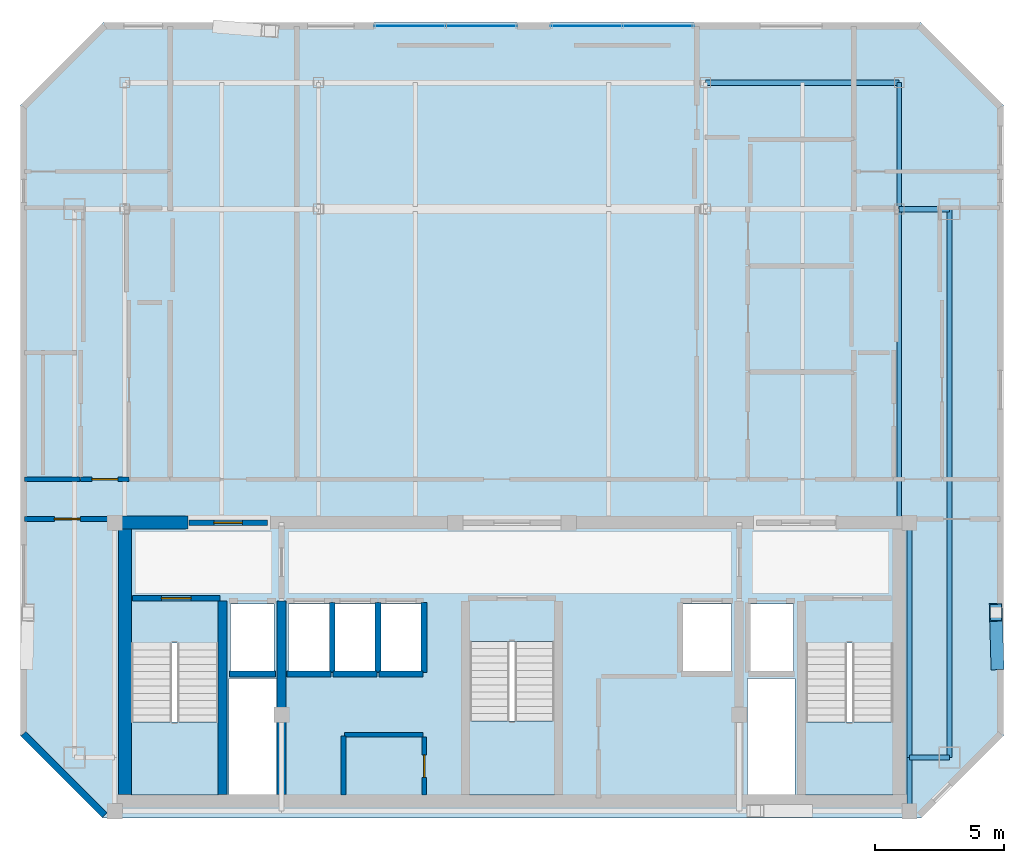
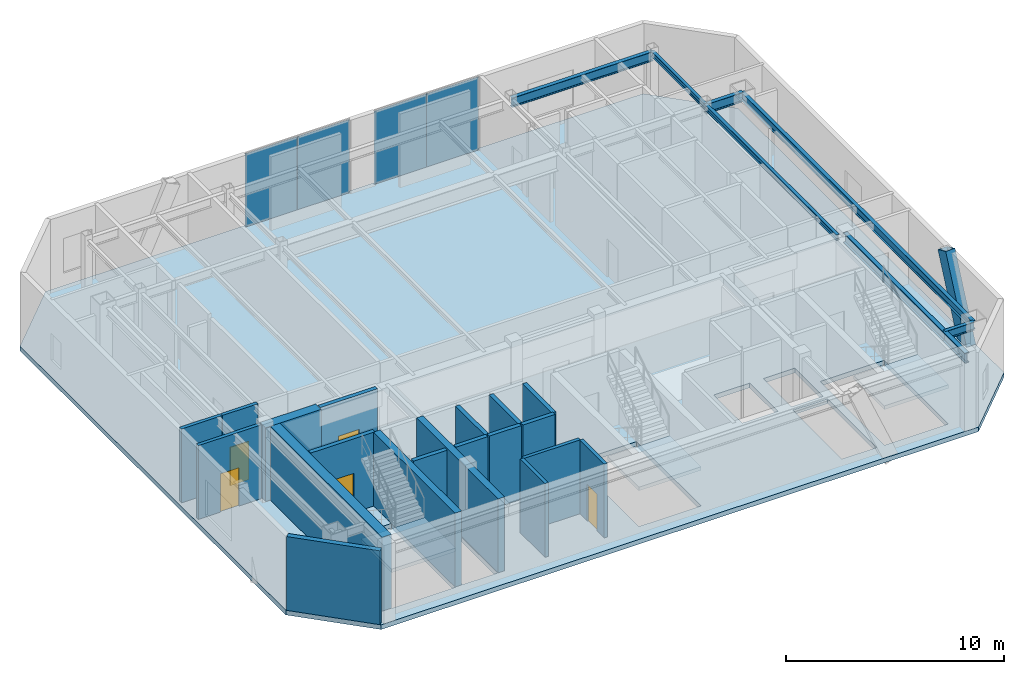
# One storey, part 5 of 10: 20 walls, 8 beams, 5 doors, 4 plates, 4 slabs, 1 member, 5 openings, 5 elements without a shape of their own.
"""IFC4 building model written with IfcOpenShell, lengths in metres."""

import ifcopenshell
import ifcopenshell.guid

model = None  # the IFC model being written
_history = None  # IfcOwnerHistory: only IFC2X3 demands one
_inside = {}  # id of a spatial element -> (the spatial element, [elements in it])
_under = {}  # id of a project, library or spatial element -> (it, [spatial elements below it])
_declared = {}  # id of a project -> (the project, [libraries it declares])
_typed = {}  # id of a type object -> (the type object, [elements of that type])
_made_of = {}  # id of a material, layer set ... -> (it, [elements and type objects made of it])


def new_model(schema):
    """Start an empty IFC model of exactly this schema.

    Asked for "IFC4X3", IfcOpenShell would pick the latest addendum, in which some entities
    have other attributes; the version numbers below select the first issue.
    IFC2X3 requires an IfcOwnerHistory on every rooted entity: one is made here for all.
    """
    global model, _history
    if schema == "IFC4X3":
        model = ifcopenshell.file(schema_version=(4, 3, 0, 0))
    else:
        model = ifcopenshell.file(schema=schema)
    _inside.clear()
    _under.clear()
    _declared.clear()
    _typed.clear()
    _made_of.clear()
    _history = None
    if model.schema == "IFC2X3":
        org = make("IfcOrganization", Name="unknown")
        user = make(
            "IfcPersonAndOrganization",
            ThePerson=make("IfcPerson", FamilyName="unknown"),
            TheOrganization=org,
        )
        app = make(
            "IfcApplication",
            ApplicationDeveloper=org,
            Version="unknown",
            ApplicationFullName="unknown",
            ApplicationIdentifier="unknown",
        )
        _history = make(
            "IfcOwnerHistory",
            OwningUser=user,
            OwningApplication=app,
            ChangeAction="ADDED",
            CreationDate=0,
        )
    return model


def make(cls, **values):
    """One entity of the class cls with the attributes given. An attribute that is None is left unset."""
    return model.create_entity(
        cls, **{name: value for name, value in values.items() if value is not None}
    )


def rooted(cls, **values):
    """An entity with a GlobalId (a new one), such as an element, a storey or a relation."""
    return make(cls, GlobalId=ifcopenshell.guid.new(), OwnerHistory=_history, **values)


def si_unit(unit_type, name, prefix=None):
    """IfcSIUnit, for example si_unit("LENGTHUNIT", "METRE", prefix="MILLI")."""
    return make("IfcSIUnit", UnitType=unit_type, Prefix=prefix, Name=name)


def assignment(units):
    """IfcUnitAssignment: the units of a project."""
    return None if units is None else make("IfcUnitAssignment", Units=units)


def point(xyz):
    """IfcCartesianPoint."""
    return None if xyz is None else make("IfcCartesianPoint", Coordinates=xyz)


def direction(xyz):
    """IfcDirection."""
    return None if xyz is None else make("IfcDirection", DirectionRatios=xyz)


def frame(location, z_axis=None, x_axis=None):
    """IfcAxis2Placement3D, a coordinate frame: its origin and axes. An axis left out is left unset."""
    return make(
        "IfcAxis2Placement3D",
        Location=point(location),
        Axis=direction(z_axis),
        RefDirection=direction(x_axis),
    )


def frame_2d(location, x_axis=None):
    """IfcAxis2Placement2D, a coordinate frame in the plane: its origin and x axis."""
    return make(
        "IfcAxis2Placement2D", Location=point(location), RefDirection=direction(x_axis)
    )


def origin():
    """The frame at (0, 0, 0) with its axes left unset."""
    return frame((0.0, 0.0, 0.0))


def origin_2d():
    """The frame at (0, 0) in the plane with its x axis left unset."""
    return frame_2d((0.0, 0.0))


def place(relative_to, where):
    """IfcLocalPlacement: puts the frame where relative to a parent placement (None: the world)."""
    return make(
        "IfcLocalPlacement", PlacementRelTo=relative_to, RelativePlacement=where
    )


def context(
    kind, dimensions, precision=None, world=None, true_north=None, identifier=None
):
    """IfcGeometricRepresentationContext, for example the 3D "Model" context."""
    return make(
        "IfcGeometricRepresentationContext",
        ContextIdentifier=identifier,
        ContextType=kind,
        CoordinateSpaceDimension=dimensions,
        Precision=precision,
        WorldCoordinateSystem=world,
        TrueNorth=true_north,
    )


def subcontext(parent, identifier, kind, view, scale=None):
    """IfcGeometricRepresentationSubContext, for example "Body" below "Model"."""
    return make(
        "IfcGeometricRepresentationSubContext",
        ContextIdentifier=identifier,
        ContextType=kind,
        ParentContext=parent,
        TargetScale=scale,
        TargetView=view,
    )


def project(units=None, contexts=None):
    """IfcProject with its units and contexts."""
    return rooted(
        "IfcProject",
        Name="project",
        RepresentationContexts=contexts,
        UnitsInContext=assignment(units),
    )


def spatial(cls, under=None, at=None, **own):
    """A site, building, storey or space (cls), placed at a placement, below another one or the project."""
    s = rooted(cls, ObjectPlacement=at, **own)
    if under is not None:
        _under.setdefault(under.id(), (under, []))[1].append(s)
    return s


def polyline(points):
    """IfcPolyline through the points."""
    return make("IfcPolyline", Points=[point(p) for p in points])


def profile(cls, at=None, kind="AREA", **sizes):
    """A parametric profile (cls). Its sizes go by their IFC names, for example OverallWidth=200.0."""
    return make(cls, ProfileType=kind, Position=at, **sizes)


def rectangle(**sizes):
    """IfcRectangleProfileDef."""
    return profile("IfcRectangleProfileDef", **sizes)


def hollow_rectangle(**sizes):
    """IfcRectangleHollowProfileDef."""
    return profile("IfcRectangleHollowProfileDef", **sizes)


def i_section(**sizes):
    """IfcIShapeProfileDef."""
    return profile("IfcIShapeProfileDef", **sizes)


def outline(outer, holes=None, kind="AREA"):
    """IfcArbitraryClosedProfileDef: a profile drawn as a closed curve; with holes, ...WithVoids."""
    if holes is None:
        return make("IfcArbitraryClosedProfileDef", ProfileType=kind, OuterCurve=outer)
    return make(
        "IfcArbitraryProfileDefWithVoids",
        ProfileType=kind,
        OuterCurve=outer,
        InnerCurves=holes,
    )


def extrude(swept, where, along, depth):
    """IfcExtrudedAreaSolid: the profile swept, set in the frame where, extruded along a direction by depth."""
    return make(
        "IfcExtrudedAreaSolid",
        SweptArea=swept,
        Position=where,
        ExtrudedDirection=direction(along),
        Depth=depth,
    )


def shape(context_of_items, identifier, shape_type, items):
    """IfcShapeRepresentation: the items that make up one representation, for example the "Body"."""
    return make(
        "IfcShapeRepresentation",
        ContextOfItems=context_of_items,
        RepresentationIdentifier=identifier,
        RepresentationType=shape_type,
        Items=items,
    )


def material(Name=None, Category=None):
    """IfcMaterial."""
    return make("IfcMaterial", Name=Name, Category=Category)


def layer(
    of_material, thickness, ventilated=None, Name=None, Category=None, Priority=None
):
    """IfcMaterialLayer: one layer of a wall or slab, of a material (None: an air gap)."""
    return make(
        "IfcMaterialLayer",
        Material=of_material,
        LayerThickness=thickness,
        IsVentilated=ventilated,
        Name=Name,
        Category=Category,
        Priority=Priority,
    )


def layer_set(layers, Name=None):
    """IfcMaterialLayerSet."""
    return make("IfcMaterialLayerSet", MaterialLayers=layers, LayerSetName=Name)


def material_profile(
    of_material, cross_section, Name=None, Category=None, Priority=None
):
    """IfcMaterialProfile: a cross section and its material."""
    return make(
        "IfcMaterialProfile",
        Name=Name,
        Material=of_material,
        Profile=cross_section,
        Priority=Priority,
        Category=Category,
    )


def profile_set(profiles, Name=None, composite=None):
    """IfcMaterialProfileSet."""
    return make(
        "IfcMaterialProfileSet",
        Name=Name,
        MaterialProfiles=profiles,
        CompositeProfile=composite,
    )


def made_of(thing, what):
    """Note that an element or type object is made of a material, layer set ...; save() writes the relation."""
    if what is not None:
        _made_of.setdefault(what.id(), (what, []))[1].append(thing)
    return thing


def type_object(cls, material=None, **own):
    """A type object (cls), such as IfcWallType, which elements share."""
    return made_of(rooted(cls, **own), material)


def element(
    cls,
    number,
    at=None,
    inside=None,
    cuts=None,
    type_object=None,
    material=None,
    context=None,
    identifier="Body",
    shape_type=None,
    held_by="IfcProductDefinitionShape",
    body=None,
    shapes=None,
    **own,
):
    """One element of the class cls, such as IfcWall. Its Tag is "e" and its number.

    at: its placement. inside: the storey or other place that contains it. cuts: it is an
    opening in that element (IfcRelVoidsElement). A single representation is given by context,
    identifier, shape_type and body (its items); several are given by shapes. held_by: the class
    of the entity that holds the representations. save() writes the other relations.
    """
    e = rooted(cls, Tag="e%d" % number, ObjectPlacement=at, **own)
    if body is not None:
        shapes = [shape(context, identifier, shape_type, body)]
    if shapes is not None:
        e.Representation = make(held_by, Representations=shapes)
    if inside is not None:
        _inside.setdefault(inside.id(), (inside, []))[1].append(e)
    if cuts is not None:
        rooted(
            "IfcRelVoidsElement", RelatingBuildingElement=cuts, RelatedOpeningElement=e
        )
    if type_object is not None:
        _typed.setdefault(type_object.id(), (type_object, []))[1].append(e)
    return made_of(e, material)


def fill(opening, filler):
    """IfcRelFillsElement: the door or window that sits in an opening."""
    return rooted(
        "IfcRelFillsElement",
        RelatingOpeningElement=opening,
        RelatedBuildingElement=filler,
    )


def aggregate(whole, parts):
    """IfcRelAggregates: a whole, such as a stair, and the parts it consists of."""
    return rooted("IfcRelAggregates", RelatingObject=whole, RelatedObjects=parts)


def save(model, path):
    """Write the relations noted so far, then the file.

    IfcRelAggregates (storeys below a building ...), IfcRelContainedInSpatialStructure (elements
    in a storey), IfcRelDefinesByType, IfcRelAssociatesMaterial and IfcRelDeclares: one each for
    every whole, place, type object, material and project.
    """
    for whole, parts in _under.values():
        aggregate(whole, parts)
    for where, things in _inside.values():
        rooted(
            "IfcRelContainedInSpatialStructure",
            RelatedElements=things,
            RelatingStructure=where,
        )
    for kind, things in _typed.values():
        rooted("IfcRelDefinesByType", RelatedObjects=things, RelatingType=kind)
    for what, things in _made_of.values():
        rooted("IfcRelAssociatesMaterial", RelatedObjects=things, RelatingMaterial=what)
    for by, libraries in _declared.values():
        rooted("IfcRelDeclares", RelatingContext=by, RelatedDefinitions=libraries)
    model.write(path)


model = new_model("IFC4")

# Units and contexts
model_context = context("Model", 3, precision=1e-05, world=origin(), true_north=direction((0.0, 1.0)))
body_context = subcontext(model_context, "Body", "Model", "MODEL_VIEW")
ifc_project = project(units=[si_unit("LENGTHUNIT", "METRE"), si_unit("AREAUNIT", "SQUARE_METRE"), si_unit("VOLUMEUNIT", "CUBIC_METRE"), si_unit("PLANEANGLEUNIT", "RADIAN"), si_unit("MASSUNIT", "GRAM", prefix="KILO")], contexts=[model_context])

# Site, building, storey
site_placement = place(None, origin())
site = spatial("IfcSite", under=ifc_project, at=site_placement, CompositionType="ELEMENT")
building_placement = place(site_placement, origin())
building = spatial("IfcBuilding", under=site, at=building_placement, Name="Ventersveld Concourse Tower", CompositionType="ELEMENT")
storey_placement = place(building_placement, frame((0.0, 0.0, 357.85009765625)))
storey = spatial("IfcBuildingStorey", under=building, at=storey_placement, Name="L88", CompositionType="ELEMENT", Elevation=357.85009765625)

# Beams
ifc_material_1 = material(Name="Structural steel S355J2", Category="steel")
ifc_material_profile_1 = material_profile(ifc_material_1, i_section(OverallWidth=0.1650390625, OverallDepth=0.303466796875, WebThickness=0.006103515625, FlangeThickness=0.01025390625, FilletRadius=0.0087890625, at=origin_2d()), Name="UB 305x165x40")
ifc_profile_set_1 = profile_set([ifc_material_profile_1], Name="Structural steel S355J2")
beam_type_1 = type_object("IfcBeamType", Name="BM-UB305", PredefinedType="BEAM", material=ifc_profile_set_1)
beam_1_placement = place(storey_placement, frame((43.75, 11.449951171875, 3.98828125), z_axis=(0.0, 1.0, 0.0), x_axis=(-1.0, 0.0, 0.0)))
element("IfcBeam", 1, at=beam_1_placement, inside=storey, type_object=beam_type_1, Name="L88 N-S Composite Floor Beam South X=43.75", PredefinedType="BEAM", context=body_context, shape_type="SweptSolid", body=[
    extrude(i_section(OverallWidth=0.1650390625, OverallDepth=0.303466796875, WebThickness=0.006103515625, FlangeThickness=0.01025390625, FilletRadius=0.0087890625, at=origin_2d()), origin(), (0.0, 0.0, 1.0), 12.150146484375),
])
beam_2_placement = place(storey_placement, frame((43.75, 23.60009765625, 3.98828125), z_axis=(0.0, 1.0, 0.0), x_axis=(-1.0, 0.0, 0.0)))
element("IfcBeam", 2, at=beam_2_placement, inside=storey, type_object=beam_type_1, Name="L88 N-S Upper-Zone Floor Beam X=43.75", PredefinedType="BEAM", context=body_context, shape_type="SweptSolid", body=[
    extrude(i_section(OverallWidth=0.1650390625, OverallDepth=0.303466796875, WebThickness=0.006103515625, FlangeThickness=0.01025390625, FilletRadius=0.0087890625, at=origin_2d()), origin(), (0.0, 0.0, 1.0), 4.89990234375),
])
ifc_material_profile_2 = material_profile(ifc_material_1, i_section(OverallWidth=0.209228515625, OverallDepth=0.533203125, WebThickness=0.010009765625, FlangeThickness=0.015625, FilletRadius=0.0126953125, at=origin_2d()), Name="UB 533x210x92")
ifc_profile_set_2 = profile_set([ifc_material_profile_2], Name="Structural steel S355J2")
beam_type_2 = type_object("IfcBeamType", Name="GRD-UB533", PredefinedType="T_BEAM", material=ifc_profile_set_2)
beam_3_placement = place(storey_placement, frame((43.75, 23.60009765625, 3.873291015625), z_axis=(1.0, 0.0, 0.0), x_axis=(0.0, 1.0, 0.0)))
element("IfcBeam", 3, at=beam_3_placement, inside=storey, type_object=beam_type_2, Name="L88 Primary E-W Grid Girder Y=23.60 #5", PredefinedType="T_BEAM", context=body_context, shape_type="SweptSolid", body=[
    extrude(i_section(OverallWidth=0.209228515625, OverallDepth=0.533203125, WebThickness=0.010009765625, FlangeThickness=0.015625, FilletRadius=0.0126953125, at=origin_2d()), origin(), (0.0, 0.0, 1.0), 1.949951171875),
])
beam_4_placement = place(storey_placement, frame((36.25, 28.5, 3.873291015625), z_axis=(1.0, 0.0, 0.0), x_axis=(0.0, 1.0, 0.0)))
element("IfcBeam", 4, at=beam_4_placement, inside=storey, type_object=beam_type_2, Name="L88 Upper-North E-W Girder Y=28.50 #3", PredefinedType="T_BEAM", context=body_context, shape_type="SweptSolid", body=[
    extrude(i_section(OverallWidth=0.209228515625, OverallDepth=0.533203125, WebThickness=0.010009765625, FlangeThickness=0.015625, FilletRadius=0.0126953125, at=origin_2d()), origin(), (0.0, 0.0, 1.0), 7.5),
])
ifc_material_profile_3 = material_profile(ifc_material_1, i_section(OverallWidth=0.2119140625, OverallDepth=0.54443359375, WebThickness=0.0126953125, FlangeThickness=0.021240234375, FilletRadius=0.0126953125, at=origin_2d()), Name="UB 533x210x122")
ifc_profile_set_3 = profile_set([ifc_material_profile_3], Name="Structural steel S355J2")
beam_type_3 = type_object("IfcBeamType", Name="GRD-UB533H", PredefinedType="T_BEAM", material=ifc_profile_set_3)
beam_5_placement = place(storey_placement, frame((44.14990234375, 0.280029296875, 3.86767578125), z_axis=(0.0, 1.0, 0.0), x_axis=(-1.0, 0.0, 0.0)))
element("IfcBeam", 5, at=beam_5_placement, inside=storey, type_object=beam_type_3, Name="L88 Core East Tie Beam S", PredefinedType="T_BEAM", context=body_context, shape_type="SweptSolid", body=[
    extrude(i_section(OverallWidth=0.2119140625, OverallDepth=0.54443359375, WebThickness=0.0126953125, FlangeThickness=0.021240234375, FilletRadius=0.0126953125, at=origin_2d()), origin(), (0.0, 0.0, 1.0), 2.070068359375),
])
beam_6_placement = place(storey_placement, frame((44.14990234375, 2.35009765625, 3.86767578125), z_axis=(0.0, 1.0, 0.0), x_axis=(-1.0, 0.0, 0.0)))
element("IfcBeam", 6, at=beam_6_placement, inside=storey, type_object=beam_type_3, Name="L88 Core East Tie Beam N", PredefinedType="T_BEAM", context=body_context, shape_type="SweptSolid", body=[
    extrude(i_section(OverallWidth=0.2119140625, OverallDepth=0.54443359375, WebThickness=0.0126953125, FlangeThickness=0.021240234375, FilletRadius=0.0126953125, at=origin_2d()), origin(), (0.0, 0.0, 1.0), 9.099853515625),
])

# Member
ifc_material_2 = material(Name="Structural steel S355ML", Category="steel")
ifc_material_profile_4 = material_profile(ifc_material_2, hollow_rectangle(XDim=0.5, YDim=0.75, WallThickness=0.034912109375, at=origin_2d()), Name="BOX 750x500x35")
ifc_profile_set_4 = profile_set([ifc_material_profile_4], Name="Structural steel S355ML")
member_type = type_object("IfcMemberType", Name="MB-750x500", PredefinedType="BRACE", material=ifc_profile_set_4)
member_placement = place(storey_placement, frame((47.551513671875, 6.10009765625, -0.260009765625), z_axis=(-0.011127339294, 0.39200901733, 0.919894076865), x_axis=(-0.999597377348, -0.028373988055, 0.0)))
element("IfcMember", 7, at=member_placement, inside=storey, type_object=member_type, Name="L88 Exterior Mega-Brace E (Module M21)", PredefinedType="BRACE", context=body_context, shape_type="SweptSolid", body=[
    extrude(hollow_rectangle(XDim=0.5, YDim=0.75, WallThickness=0.034912109375, at=origin_2d()), origin(), (0.0, 0.0, 1.0), 4.782958984375),
])

# Beams
ifc_material_profile_5 = material_profile(ifc_material_1, i_section(OverallWidth=0.19140625, OverallDepth=0.4599609375, WebThickness=0.010009765625, FlangeThickness=0.01611328125, FilletRadius=0.01025390625, at=origin_2d()), Name="UB 457x191x82")
ifc_profile_set_5 = profile_set([ifc_material_profile_5], Name="Structural steel S355J2")
beam_type_4 = type_object("IfcBeamType", Name="SPD-UB457", PredefinedType="SPANDREL", material=ifc_profile_set_5)
beam_7_placement = place(storey_placement, frame((44.14990234375, 2.35009765625, 3.909912109375), z_axis=(1.0, 0.0, 0.0), x_axis=(0.0, 1.0, 0.0)))
element("IfcBeam", 8, at=beam_7_placement, inside=storey, type_object=beam_type_4, Name="L88 SE Spandrel Beam", PredefinedType="SPANDREL", context=body_context, shape_type="SweptSolid", body=[
    extrude(i_section(OverallWidth=0.19140625, OverallDepth=0.4599609375, WebThickness=0.010009765625, FlangeThickness=0.01611328125, FilletRadius=0.01025390625, at=origin_2d()), origin(), (0.0, 0.0, 1.0), 1.550048828125),
])
beam_8_placement = place(storey_placement, frame((45.699951171875, 2.35009765625, 3.909912109375), z_axis=(0.0, 1.0, 0.0), x_axis=(-1.0, 0.0, 0.0)))
element("IfcBeam", 9, at=beam_8_placement, inside=storey, type_object=beam_type_4, Name="L88 East Spandrel Beam", PredefinedType="SPANDREL", context=body_context, shape_type="SweptSolid", body=[
    extrude(i_section(OverallWidth=0.19140625, OverallDepth=0.4599609375, WebThickness=0.010009765625, FlangeThickness=0.01611328125, FilletRadius=0.01025390625, at=origin_2d()), origin(), (0.0, 0.0, 1.0), 21.25),
])

# Curtain wall, plates
ifc_material_3 = material(Name="Anodised aluminium EN AW-6063-T6", Category="aluminium")
curtain_wall_type = type_object("IfcCurtainWallType", Name="CW-SLOB-3", PredefinedType="NOTDEFINED", material=ifc_material_3)
curtain_wall_1_placement = place(storey_placement, origin())
curtain_wall_1 = element("IfcCurtainWall", 10, at=curtain_wall_1_placement, inside=storey, type_object=curtain_wall_type, Name="L88 L88 High-Zone Observatory Curtain Wall West", PredefinedType="NOTDEFINED")
ifc_material_4 = material(Name="Low-E double glazing IGU", Category="glass")
ifc_layer_1 = layer(ifc_material_4, 0.02392578125)
ifc_layer_set_1 = layer_set([ifc_layer_1], Name="Low-E double glazing IGU")
plate_type = type_object("IfcPlateType", Name="CWP-GLZ-24", PredefinedType="CURTAIN_PANEL", material=ifc_layer_set_1)
plate_1_placement = place(storey_placement, frame((24.78759765625, 30.695556640625, 0.019775390625), z_axis=(0.0, 0.0, 1.0), x_axis=(1.0, 0.0, 0.0)))
plate_1 = element("IfcPlate", 11, at=plate_1_placement, type_object=plate_type, Name="CW-L88-N1 Glazed Panel 01-1", PredefinedType="CURTAIN_PANEL", context=body_context, shape_type="SweptSolid", body=[
    extrude(rectangle(XDim=2.764892578125, YDim=0.02392578125, at=origin_2d()), origin(), (0.0, 0.0, 1.0), 4.10009765625),
])
plate_2_placement = place(storey_placement, frame((27.5625, 30.695556640625, 0.019775390625), z_axis=(0.0, 0.0, 1.0), x_axis=(1.0, 0.0, 0.0)))
plate_2 = element("IfcPlate", 12, at=plate_2_placement, type_object=plate_type, Name="CW-L88-N1 Glazed Panel 02-1", PredefinedType="CURTAIN_PANEL", context=body_context, shape_type="SweptSolid", body=[
    extrude(rectangle(XDim=2.764892578125, YDim=0.02392578125, at=origin_2d()), origin(), (0.0, 0.0, 1.0), 4.10009765625),
])
aggregate(curtain_wall_1, [plate_1, plate_2])

curtain_wall_2_placement = place(storey_placement, origin())
curtain_wall_2 = element("IfcCurtainWall", 13, at=curtain_wall_2_placement, inside=storey, type_object=curtain_wall_type, Name="L88 L88 High-Zone Observatory Curtain Wall East", PredefinedType="NOTDEFINED")
plate_3_placement = place(storey_placement, frame((31.637451171875, 30.695556640625, 0.019775390625), z_axis=(0.0, 0.0, 1.0), x_axis=(1.0, 0.0, 0.0)))
plate_3 = element("IfcPlate", 14, at=plate_3_placement, type_object=plate_type, Name="CW-L88-N2 Glazed Panel 01-1", PredefinedType="CURTAIN_PANEL", context=body_context, shape_type="SweptSolid", body=[
    extrude(rectangle(XDim=2.764892578125, YDim=0.02392578125, at=origin_2d()), origin(), (0.0, 0.0, 1.0), 4.10009765625),
])
plate_4_placement = place(storey_placement, frame((34.41259765625, 30.695556640625, 0.019775390625), z_axis=(0.0, 0.0, 1.0), x_axis=(1.0, 0.0, 0.0)))
plate_4 = element("IfcPlate", 15, at=plate_4_placement, type_object=plate_type, Name="CW-L88-N2 Glazed Panel 02-1", PredefinedType="CURTAIN_PANEL", context=body_context, shape_type="SweptSolid", body=[
    extrude(rectangle(XDim=2.764892578125, YDim=0.02392578125, at=origin_2d()), origin(), (0.0, 0.0, 1.0), 4.10009765625),
])
aggregate(curtain_wall_2, [plate_3, plate_4])

# Slab
ifc_material_5 = material(Name="Concrete C50/60", Category="concrete")
ifc_layer_2 = layer(ifc_material_5, 0.260009765625)
ifc_layer_set_2 = layer_set([ifc_layer_2], Name="Concrete C50/60")
slab_type_1 = type_object("IfcSlabType", Name="SL-FLR-260", PredefinedType="FLOOR", material=ifc_layer_set_2)
slab_1_placement = place(storey_placement, frame((0.0, 0.0, -0.260009765625)))
element("IfcSlab", 16, at=slab_1_placement, inside=storey, type_object=slab_type_1, Name="L88 Composite Floor Slab", PredefinedType="FLOOR", context=body_context, shape_type="SweptSolid", body=[
    extrude(outline(polyline([(12.90380859375, 0.0), (44.59619140625, 0.0), (47.796142578125, 3.199951171875), (47.796142578125, 27.62548828125), (44.59619140625, 30.82568359375), (12.90380859375, 30.82568359375), (9.703857421875, 27.62548828125), (9.703857421875, 3.199951171875), (12.90380859375, 0.0)]), holes=[polyline([(13.97998046875, 6.794921875), (13.97998046875, 0.89990234375), (17.3798828125, 0.89990234375), (17.3798828125, 6.794921875), (13.97998046875, 6.794921875)]), polyline([(40.1201171875, 6.794921875), (40.1201171875, 0.89990234375), (43.52001953125, 0.89990234375), (43.52001953125, 6.794921875), (40.1201171875, 6.794921875)]), polyline([(27.10009765625, 6.844970703125), (27.10009765625, 0.89990234375), (30.39990234375, 0.89990234375), (30.39990234375, 6.844970703125), (27.10009765625, 6.844970703125)]), polyline([(17.85009765625, 5.699951171875), (19.530029296875, 5.699951171875), (19.530029296875, 8.300048828125), (17.85009765625, 8.300048828125), (17.85009765625, 5.699951171875)]), polyline([(37.969970703125, 5.699951171875), (39.64990234375, 5.699951171875), (39.64990234375, 8.300048828125), (37.969970703125, 8.300048828125), (37.969970703125, 5.699951171875)]), polyline([(35.35009765625, 5.699951171875), (37.25, 5.699951171875), (37.25, 8.300048828125), (35.35009765625, 8.300048828125), (35.35009765625, 5.699951171875)]), polyline([(20.090087890625, 5.699951171875), (21.68994140625, 5.699951171875), (21.68994140625, 8.300048828125), (20.090087890625, 8.300048828125), (20.090087890625, 5.699951171875)]), polyline([(21.8701171875, 5.699951171875), (23.469970703125, 5.699951171875), (23.469970703125, 8.300048828125), (21.8701171875, 8.300048828125), (21.8701171875, 5.699951171875)]), polyline([(23.64990234375, 5.699951171875), (25.25, 5.699951171875), (25.25, 8.300048828125), (23.64990234375, 8.300048828125), (23.64990234375, 5.699951171875)]), polyline([(17.780029296875, 0.919921875), (19.6201171875, 0.919921875), (19.6201171875, 5.419921875), (17.780029296875, 5.419921875), (17.780029296875, 0.919921875)]), polyline([(37.8798828125, 0.919921875), (39.719970703125, 0.919921875), (39.719970703125, 5.419921875), (37.8798828125, 5.419921875), (37.8798828125, 0.919921875)])]), origin(), (0.0, 0.0, 1.0), 0.260009765625),
])

# Stair, slab
stair_type_1 = type_object("IfcStairType", Name="ST-DOG-160", PredefinedType="HALF_TURN_STAIR", material=ifc_material_5)
stair_1_placement = place(storey_placement, origin())
stair_1 = element("IfcStair", 17, at=stair_1_placement, inside=storey, type_object=stair_type_1, Name="L88 Protected Tower Escape Stair ST-01", PredefinedType="HALF_TURN_STAIR")
ifc_layer_3 = layer(ifc_material_5, 0.199951171875)
ifc_layer_set_3 = layer_set([ifc_layer_3], Name="Concrete C50/60")
slab_type_2 = type_object("IfcSlabType", Name="SL-LND-200", PredefinedType="LANDING", material=ifc_layer_set_3)
slab_2_placement = place(storey_placement, frame((0.0, 0.0, 2.0)))
slab_2 = element("IfcSlab", 18, at=slab_2_placement, type_object=slab_type_2, Name="ST-01 landing 1", PredefinedType="LANDING", context=body_context, shape_type="SweptSolid", body=[
    extrude(outline(polyline([(13.97998046875, 3.719970703125), (13.97998046875, 0.89990234375), (17.3798828125, 0.89990234375), (17.3798828125, 3.719970703125), (13.97998046875, 3.719970703125)])), origin(), (0.0, 0.0, 1.0), 0.199951171875),
])
aggregate(stair_1, [slab_2])

stair_2_placement = place(storey_placement, origin())
stair_2 = element("IfcStair", 19, at=stair_2_placement, inside=storey, type_object=stair_type_1, Name="L88 Protected Tower Escape Stair ST-02", PredefinedType="HALF_TURN_STAIR")
slab_3_placement = place(storey_placement, frame((0.0, 0.0, 2.0)))
slab_3 = element("IfcSlab", 20, at=slab_3_placement, type_object=slab_type_2, Name="ST-02 landing 1", PredefinedType="LANDING", context=body_context, shape_type="SweptSolid", body=[
    extrude(outline(polyline([(40.1201171875, 3.719970703125), (40.1201171875, 0.89990234375), (43.52001953125, 0.89990234375), (43.52001953125, 3.719970703125), (40.1201171875, 3.719970703125)])), origin(), (0.0, 0.0, 1.0), 0.199951171875),
])
aggregate(stair_2, [slab_3])

stair_type_2 = type_object("IfcStairType", Name="ST-DOG-155", PredefinedType="HALF_TURN_STAIR", material=ifc_material_5)
stair_3_placement = place(storey_placement, origin())
stair_3 = element("IfcStair", 21, at=stair_3_placement, inside=storey, type_object=stair_type_2, Name="L88 Protected Central Core Escape Stair ST-03", PredefinedType="HALF_TURN_STAIR")
slab_4_placement = place(storey_placement, frame((0.0, 0.0, 2.0)))
slab_4 = element("IfcSlab", 22, at=slab_4_placement, type_object=slab_type_2, Name="ST-03 landing 1", PredefinedType="LANDING", context=body_context, shape_type="SweptSolid", body=[
    extrude(outline(polyline([(27.10009765625, 3.77001953125), (27.10009765625, 0.89990234375), (30.39990234375, 0.89990234375), (30.39990234375, 3.77001953125), (27.10009765625, 3.77001953125)])), origin(), (0.0, 0.0, 1.0), 0.199951171875),
])
aggregate(stair_3, [slab_4])

# Walls
ifc_layer_4 = layer(ifc_material_5, 0.35009765625)
ifc_layer_set_4 = layer_set([ifc_layer_4], Name="Concrete C50/60")
wall_type_1 = type_object("IfcWallType", Name="WL-CORE-350U", PredefinedType="SHEAR", material=ifc_layer_set_4)
for number, where, z_axis, x_axis, name in (
    (23, (17.5400390625, 0.919921875, 0.0), (0.0, 0.0, 1.0), (0.0, 1.0, 0.0), "L88 Core Internal Shear Web W-ST1-E"),
    (24, (19.820068359375, 0.919921875, 0.0), (0.0, 0.0, 1.0), (0.0, 1.0, 0.0), "L88 Core Internal Shear Web W-FF1-E"),
):
    element("IfcWall", number, at=place(storey_placement, frame(where, z_axis=z_axis, x_axis=x_axis)), inside=storey, type_object=wall_type_1, Name=name, PredefinedType="SHEAR", context=body_context, shape_type="SweptSolid", body=[
        extrude(rectangle(XDim=7.5, YDim=0.35009765625, at=frame_2d((3.75, 0.0))), origin(), (0.0, 0.0, 1.0), 4.139892578125),
    ])
ifc_layer_5 = layer(ifc_material_5, 0.5)
ifc_layer_set_5 = layer_set([ifc_layer_5], Name="Concrete C50/60")
wall_type_2 = type_object("IfcWallType", Name="WL-CORE-500", PredefinedType="SHEAR", material=ifc_layer_set_5)
wall_1_placement = place(storey_placement, frame((13.75, 0.919921875, 0.0), z_axis=(0.0, 0.0, 1.0), x_axis=(0.0, 1.0, 0.0)))
element("IfcWall", 25, at=wall_1_placement, inside=storey, type_object=wall_type_2, Name="L88 Rear Core West Shear Wall", PredefinedType="SHEAR", context=body_context, shape_type="SweptSolid", body=[
    extrude(rectangle(XDim=10.530029296875, YDim=0.5, at=frame_2d((5.26513671875, 0.0))), origin(), (0.0, 0.0, 1.0), 4.139892578125),
])
wall_2_placement = place(storey_placement, frame((13.25, 11.449951171875, 0.0), z_axis=(0.0, 0.0, 1.0), x_axis=(1.0, 0.0, 0.0)))
element("IfcWall", 26, at=wall_2_placement, inside=storey, type_object=wall_type_2, Name="L88 Rear Core North Shear Wall NW", PredefinedType="SHEAR", context=body_context, shape_type="SweptSolid", body=[
    extrude(rectangle(XDim=2.949951171875, YDim=0.5, at=frame_2d((1.47509765625, 0.0))), origin(), (0.0, 0.0, 1.0), 4.139892578125),
])

# Wall, opening, door
ifc_material_6 = material(Name="Fire-rated autoclaved aerated masonry blockwork", Category="masonry")
ifc_layer_6 = layer(ifc_material_6, 0.179931640625)
ifc_layer_set_6 = layer_set([ifc_layer_6], Name="Fire-rated autoclaved aerated masonry blockwork")
wall_type_3 = type_object("IfcWallType", Name="WL-CORR-180", PredefinedType="PARTITIONING", material=ifc_layer_set_6)
wall_3_placement = place(storey_placement, frame((25.35009765625, 0.89990234375, 0.0), z_axis=(0.0, 0.0, 1.0), x_axis=(0.0, 1.0, 0.0)))
wall_3 = element("IfcWall", 27, at=wall_3_placement, inside=storey, type_object=wall_type_3, Name="L88 Core Passage Wall SP-L88-RECB1", PredefinedType="PARTITIONING", context=body_context, shape_type="SweptSolid", body=[
    extrude(rectangle(XDim=2.239990234375, YDim=0.179931640625, at=frame_2d((1.1201171875, 0.0))), origin(), (0.0, 0.0, 1.0), 4.139892578125),
])
opening_1_placement = place(wall_3_placement, frame((0.679931640625, 0.0, 0.0)))
opening_1 = element("IfcOpeningElement", 28, at=opening_1_placement, cuts=wall_3, Name="Opening FD5", PredefinedType="OPENING", context=body_context, shape_type="SweptSolid", body=[
    extrude(rectangle(XDim=0.8798828125, YDim=2.050048828125, at=frame_2d((0.43994140625, 1.02490234375))), frame((0.0, 0.10009765625, 0.0), z_axis=(0.0, -1.0, 0.0), x_axis=(1.0, 0.0, 0.0)), (0.0, 0.0, 1.0), 0.199951171875),
])
ifc_material_7 = material(Name="Galvanised painted steel", Category="steel")
door_type_1 = type_object("IfcDoorType", Name="DR-RISER-088", OperationType="NOTDEFINED", PredefinedType="DOOR", material=ifc_material_7)
door_1_placement = place(opening_1_placement, origin())
door_1 = element("IfcDoor", 29, at=door_1_placement, inside=storey, type_object=door_type_1, Name="L88 Core Room Door L88 Reclaimed Core Residents Reading Room (CD-L88-3907)", OperationType="SINGLE_SWING_RIGHT", OverallHeight=2.050048828125, OverallWidth=0.8798828125, PredefinedType="DOOR", context=body_context, shape_type="SweptSolid", body=[
    extrude(rectangle(XDim=0.8798828125, YDim=2.050048828125, at=frame_2d((0.43994140625, 1.02490234375))), frame((0.0, 0.02490234375, 0.0), z_axis=(0.0, -1.0, 0.0), x_axis=(1.0, 0.0, 0.0)), (0.0, 0.0, 1.0), 0.050048828125),
])
fill(opening_1, door_1)

# Walls
wall_4_placement = place(storey_placement, frame((22.260009765625, 3.22998046875, 0.0), z_axis=(0.0, 0.0, 1.0), x_axis=(1.0, 0.0, 0.0)))
element("IfcWall", 30, at=wall_4_placement, inside=storey, type_object=wall_type_3, Name="L88 Core Top Wall SP-L88-RECB1", PredefinedType="PARTITIONING", context=body_context, shape_type="SweptSolid", body=[
    extrude(rectangle(XDim=3.0400390625, YDim=0.179931640625, at=frame_2d((1.52001953125, 0.0))), origin(), (0.0, 0.0, 1.0), 4.139892578125),
])
wall_5_placement = place(storey_placement, frame((22.219970703125, 0.909912109375, 0.0), z_axis=(0.0, 0.0, 1.0), x_axis=(0.0, 1.0, 0.0)))
element("IfcWall", 31, at=wall_5_placement, inside=storey, type_object=wall_type_3, Name="L88 Core West Wall SP-L88-RECB1", PredefinedType="PARTITIONING", context=body_context, shape_type="SweptSolid", body=[
    extrude(rectangle(XDim=2.280029296875, YDim=0.179931640625, at=frame_2d((1.14013671875, 0.0))), origin(), (0.0, 0.0, 1.0), 4.139892578125),
])

# Wall, opening, door
wall_6_placement = place(storey_placement, frame((9.853515625, 11.594970703125, 0.0), z_axis=(0.0, 0.0, 1.0), x_axis=(1.0, 0.0, 0.0)))
wall_6 = element("IfcWall", 32, at=wall_6_placement, inside=storey, type_object=wall_type_3, Name="L88 Interior Partition SP-L88-COR-SP-L88-SWGAL", PredefinedType="PARTITIONING", context=body_context, shape_type="SweptSolid", body=[
    extrude(rectangle(XDim=3.341552734375, YDim=0.179931640625, at=frame_2d((1.6708984375, 0.0))), origin(), (0.0, 0.0, 1.0), 4.139892578125),
])
opening_2_placement = place(wall_6_placement, frame((1.1708984375, 0.0, 0.0)))
opening_2 = element("IfcOpeningElement", 33, at=opening_2_placement, cuts=wall_6, Name="Opening FD3", PredefinedType="OPENING", context=body_context, shape_type="SweptSolid", body=[
    extrude(rectangle(XDim=1.0, YDim=2.14990234375, at=frame_2d((0.5, 1.074951171875))), frame((0.0, 0.10009765625, 0.0), z_axis=(0.0, -1.0, 0.0), x_axis=(1.0, 0.0, 0.0)), (0.0, 0.0, 1.0), 0.199951171875),
])
ifc_material_8 = material(Name="Solid-core hardwood veneer timber", Category="wood")
door_type_2 = type_object("IfcDoorType", Name="DR-FLAT-100", OperationType="NOTDEFINED", PredefinedType="DOOR", material=ifc_material_8)
door_2_placement = place(opening_2_placement, origin())
door_2 = element("IfcDoor", 34, at=door_2_placement, inside=storey, type_object=door_type_2, Name="L88 Interior Door SP-L88-COR to SP-L88-SWGAL (D-L88-3909)", OperationType="SINGLE_SWING_LEFT", OverallHeight=2.14990234375, OverallWidth=1.0, PredefinedType="DOOR", context=body_context, shape_type="SweptSolid", body=[
    extrude(rectangle(XDim=1.0, YDim=2.14990234375, at=frame_2d((0.5, 1.074951171875))), frame((0.0, 0.02490234375, 0.0), z_axis=(0.0, -1.0, 0.0), x_axis=(1.0, 0.0, 0.0)), (0.0, 0.0, 1.0), 0.050048828125),
])
fill(opening_2, door_2)

wall_7_placement = place(storey_placement, frame((12.038818359375, 13.135009765625, 0.0), z_axis=(0.0, 0.0, 1.0), x_axis=(1.0, 0.0, 0.0)))
wall_7 = element("IfcWall", 35, at=wall_7_placement, inside=storey, type_object=wall_type_3, Name="L88 Interior Partition SP-L88-COR-SP-L88-88W-LIV", PredefinedType="PARTITIONING", context=body_context, shape_type="SweptSolid", body=[
    extrude(rectangle(XDim=1.876220703125, YDim=0.179931640625, at=frame_2d((0.93798828125, 0.0))), origin(), (0.0, 0.0, 1.0), 4.139892578125),
])
opening_3_placement = place(wall_7_placement, frame((0.43798828125, 0.0, 0.0)))
opening_3 = element("IfcOpeningElement", 36, at=opening_3_placement, cuts=wall_7, Name="Opening FD3", PredefinedType="OPENING", context=body_context, shape_type="SweptSolid", body=[
    extrude(rectangle(XDim=1.0, YDim=2.14990234375, at=frame_2d((0.5, 1.074951171875))), frame((0.0, 0.10009765625, 0.0), z_axis=(0.0, -1.0, 0.0), x_axis=(1.0, 0.0, 0.0)), (0.0, 0.0, 1.0), 0.199951171875),
])
door_3_placement = place(opening_3_placement, origin())
door_3 = element("IfcDoor", 37, at=door_3_placement, inside=storey, type_object=door_type_2, Name="L88 Interior Door SP-L88-COR to SP-L88-88W-LIV (FD-L88-3915)", OperationType="SINGLE_SWING_LEFT", OverallHeight=2.14990234375, OverallWidth=1.0, PredefinedType="DOOR", context=body_context, shape_type="SweptSolid", body=[
    extrude(rectangle(XDim=1.0, YDim=2.14990234375, at=frame_2d((0.5, 1.074951171875))), frame((0.0, 0.02490234375, 0.0), z_axis=(0.0, -1.0, 0.0), x_axis=(1.0, 0.0, 0.0)), (0.0, 0.0, 1.0), 0.050048828125),
])
fill(opening_3, door_3)

# Walls
wall_8_placement = place(storey_placement, frame((9.853515625, 13.135009765625, 0.0), z_axis=(0.0, 0.0, 1.0), x_axis=(1.0, 0.0, 0.0)))
element("IfcWall", 38, at=wall_8_placement, inside=storey, type_object=wall_type_3, Name="L88 Interior Partition SP-L88-COR-SP-L88-88W-BATH", PredefinedType="PARTITIONING", context=body_context, shape_type="SweptSolid", body=[
    extrude(rectangle(XDim=2.1552734375, YDim=0.179931640625, at=frame_2d((1.07763671875, 0.0))), origin(), (0.0, 0.0, 1.0), 4.139892578125),
])
ifc_layer_7 = layer(ifc_material_6, 0.219970703125)
ifc_layer_set_7 = layer_set([ifc_layer_7], Name="Fire-rated autoclaved aerated masonry blockwork")
wall_type_4 = type_object("IfcWallType", Name="WL-HOIST-220", PredefinedType="SOLIDWALL", material=ifc_layer_set_7)
wall_9_placement = place(storey_placement, frame((17.800048828125, 5.590087890625, 0.0), z_axis=(0.0, 0.0, 1.0), x_axis=(1.0, 0.0, 0.0)))
element("IfcWall", 39, at=wall_9_placement, inside=storey, type_object=wall_type_4, Name="L88 Lift Hoistway Back Wall FFL-01", PredefinedType="SOLIDWALL", context=body_context, shape_type="SweptSolid", body=[
    extrude(rectangle(XDim=1.780029296875, YDim=0.219970703125, at=frame_2d((0.89013671875, 0.0))), origin(), (0.0, 0.0, 1.0), 4.139892578125),
])
wall_10_placement = place(storey_placement, frame((20.0400390625, 5.590087890625, 0.0), z_axis=(0.0, 0.0, 1.0), x_axis=(1.0, 0.0, 0.0)))
element("IfcWall", 40, at=wall_10_placement, inside=storey, type_object=wall_type_4, Name="L88 Lift Hoistway Back Wall PH-01", PredefinedType="SOLIDWALL", context=body_context, shape_type="SweptSolid", body=[
    extrude(rectangle(XDim=1.699951171875, YDim=0.219970703125, at=frame_2d((0.85009765625, 0.0))), origin(), (0.0, 0.0, 1.0), 4.139892578125),
])
wall_11_placement = place(storey_placement, frame((21.780029296875, 5.64990234375, 0.0), z_axis=(0.0, 0.0, 1.0), x_axis=(0.0, 1.0, 0.0)))
element("IfcWall", 41, at=wall_11_placement, inside=storey, type_object=wall_type_4, Name="L88 Lift Hoistway Side Wall PH-01E", PredefinedType="SOLIDWALL", context=body_context, shape_type="SweptSolid", body=[
    extrude(rectangle(XDim=2.7001953125, YDim=0.219970703125, at=frame_2d((1.35009765625, 0.0))), origin(), (0.0, 0.0, 1.0), 4.139892578125),
])
wall_12_placement = place(storey_placement, frame((21.820068359375, 5.590087890625, 0.0), z_axis=(0.0, 0.0, 1.0), x_axis=(1.0, 0.0, 0.0)))
element("IfcWall", 42, at=wall_12_placement, inside=storey, type_object=wall_type_4, Name="L88 Lift Hoistway Back Wall PH-02", PredefinedType="SOLIDWALL", context=body_context, shape_type="SweptSolid", body=[
    extrude(rectangle(XDim=1.699951171875, YDim=0.219970703125, at=frame_2d((0.85009765625, 0.0))), origin(), (0.0, 0.0, 1.0), 4.139892578125),
])
wall_13_placement = place(storey_placement, frame((23.56005859375, 5.64990234375, 0.0), z_axis=(0.0, 0.0, 1.0), x_axis=(0.0, 1.0, 0.0)))
element("IfcWall", 43, at=wall_13_placement, inside=storey, type_object=wall_type_4, Name="L88 Lift Hoistway Side Wall PH-02E", PredefinedType="SOLIDWALL", context=body_context, shape_type="SweptSolid", body=[
    extrude(rectangle(XDim=2.7001953125, YDim=0.219970703125, at=frame_2d((1.35009765625, 0.0))), origin(), (0.0, 0.0, 1.0), 4.139892578125),
])
wall_14_placement = place(storey_placement, frame((23.60009765625, 5.590087890625, 0.0), z_axis=(0.0, 0.0, 1.0), x_axis=(1.0, 0.0, 0.0)))
element("IfcWall", 44, at=wall_14_placement, inside=storey, type_object=wall_type_4, Name="L88 Lift Hoistway Back Wall PH-03", PredefinedType="SOLIDWALL", context=body_context, shape_type="SweptSolid", body=[
    extrude(rectangle(XDim=1.699951171875, YDim=0.219970703125, at=frame_2d((0.85009765625, 0.0))), origin(), (0.0, 0.0, 1.0), 4.139892578125),
])
wall_15_placement = place(storey_placement, frame((25.340087890625, 5.64990234375, 0.0), z_axis=(0.0, 0.0, 1.0), x_axis=(0.0, 1.0, 0.0)))
element("IfcWall", 45, at=wall_15_placement, inside=storey, type_object=wall_type_4, Name="L88 Lift Hoistway Side Wall PH-03E", PredefinedType="SOLIDWALL", context=body_context, shape_type="SweptSolid", body=[
    extrude(rectangle(XDim=2.7001953125, YDim=0.219970703125, at=frame_2d((1.35009765625, 0.0))), origin(), (0.0, 0.0, 1.0), 4.139892578125),
])

# Wall, opening, door
wall_16_placement = place(storey_placement, frame((14.0400390625, 8.52001953125, 0.0), z_axis=(0.0, 0.0, 1.0), x_axis=(1.0, 0.0, 0.0)))
wall_16 = element("IfcWall", 46, at=wall_16_placement, inside=storey, type_object=wall_type_4, Name="L88 Escape Stair ST01 Fire Wall", PredefinedType="SOLIDWALL", context=body_context, shape_type="SweptSolid", body=[
    extrude(rectangle(XDim=3.39990234375, YDim=0.219970703125, at=frame_2d((1.699951171875, 0.0))), origin(), (0.0, 0.0, 1.0), 4.139892578125),
])
opening_4_placement = place(wall_16_placement, frame((1.125, 0.0, 0.0)))
opening_4 = element("IfcOpeningElement", 47, at=opening_4_placement, cuts=wall_16, Name="Opening FD1", PredefinedType="OPENING", context=body_context, shape_type="SweptSolid", body=[
    extrude(rectangle(XDim=1.14990234375, YDim=2.199951171875, at=frame_2d((0.574951171875, 1.10009765625))), frame((0.0, 0.1201171875, 0.0), z_axis=(0.0, -1.0, 0.0), x_axis=(1.0, 0.0, 0.0)), (0.0, 0.0, 1.0), 0.239990234375),
])
door_type_3 = type_object("IfcDoorType", Name="DR-STAIR-115", OperationType="NOTDEFINED", PredefinedType="DOOR", material=ifc_material_7)
door_4_placement = place(opening_4_placement, origin())
door_4 = element("IfcDoor", 48, at=door_4_placement, inside=storey, type_object=door_type_3, Name="L88 Escape Stair Door ST01 (SD-L88-3899)", OperationType="SINGLE_SWING_LEFT", OverallHeight=2.199951171875, OverallWidth=1.14990234375, PredefinedType="DOOR", context=body_context, shape_type="SweptSolid", body=[
    extrude(rectangle(XDim=1.14990234375, YDim=2.199951171875, at=frame_2d((0.574951171875, 1.10009765625))), frame((0.0, 0.02490234375, 0.0), z_axis=(0.0, -1.0, 0.0), x_axis=(1.0, 0.0, 0.0)), (0.0, 0.0, 1.0), 0.050048828125),
])
fill(opening_4, door_4)

wall_17_placement = place(storey_placement, frame((16.22998046875, 11.449951171875, 0.0), z_axis=(0.0, 0.0, 1.0), x_axis=(1.0, 0.0, 0.0)))
wall_17 = element("IfcWall", 49, at=wall_17_placement, inside=storey, type_object=wall_type_4, Name="L88 Core North Fire Portal FFLW-OUT", PredefinedType="SOLIDWALL", context=body_context, shape_type="SweptSolid", body=[
    extrude(rectangle(XDim=3.0400390625, YDim=0.219970703125, at=frame_2d((1.52001953125, 0.0))), origin(), (0.0, 0.0, 1.0), 4.139892578125),
])
opening_5_placement = place(wall_17_placement, frame((0.969970703125, 0.0, 0.0)))
opening_5 = element("IfcOpeningElement", 50, at=opening_5_placement, cuts=wall_17, Name="Opening FD2", PredefinedType="OPENING", context=body_context, shape_type="SweptSolid", body=[
    extrude(rectangle(XDim=1.10009765625, YDim=2.199951171875, at=frame_2d((0.550048828125, 1.10009765625))), frame((0.0, 0.1201171875, 0.0), z_axis=(0.0, -1.0, 0.0), x_axis=(1.0, 0.0, 0.0)), (0.0, 0.0, 1.0), 0.239990234375),
])
door_type_4 = type_object("IfcDoorType", Name="DR-FFL-110", OperationType="NOTDEFINED", PredefinedType="DOOR", material=ifc_material_7)
door_5_placement = place(opening_5_placement, origin())
door_5 = element("IfcDoor", 51, at=door_5_placement, inside=storey, type_object=door_type_4, Name="L88 Core Lobby Fire Door FFLW-OUT (FD-L88-3904)", OperationType="SINGLE_SWING_RIGHT", OverallHeight=2.199951171875, OverallWidth=1.10009765625, PredefinedType="DOOR", context=body_context, shape_type="SweptSolid", body=[
    extrude(rectangle(XDim=1.10009765625, YDim=2.199951171875, at=frame_2d((0.550048828125, 1.10009765625))), frame((0.0, 0.02490234375, 0.0), z_axis=(0.0, -1.0, 0.0), x_axis=(1.0, 0.0, 0.0)), (0.0, 0.0, 1.0), 0.050048828125),
])
fill(opening_5, door_5)

# Wall
ifc_material_9 = material(Name="Precast concrete C45/55", Category="concrete")
ifc_layer_8 = layer(ifc_material_9, 0.260009765625)
ifc_layer_set_8 = layer_set([ifc_layer_8], Name="Precast concrete C45/55")
wall_type_5 = type_object("IfcWallType", Name="WL-PREC-260", PredefinedType="SOLIDWALL", material=ifc_layer_set_8)
wall_18_placement = place(storey_placement, frame((9.82421875, 3.263671875, 0.0), z_axis=(0.0, 0.0, 1.0), x_axis=(0.707079321262, -0.707134240044, 0.0)))
element("IfcWall", 52, at=wall_18_placement, inside=storey, type_object=wall_type_5, Name="L88 Highveld Precast Facade Wall E08", PredefinedType="SOLIDWALL", context=body_context, shape_type="SweptSolid", body=[
    extrude(rectangle(XDim=4.445556640625, YDim=0.260009765625, at=frame_2d((2.22265625, 0.0))), origin(), (0.0, 0.0, 1.0), 4.139892578125),
])

save(model, "model.ifc")
